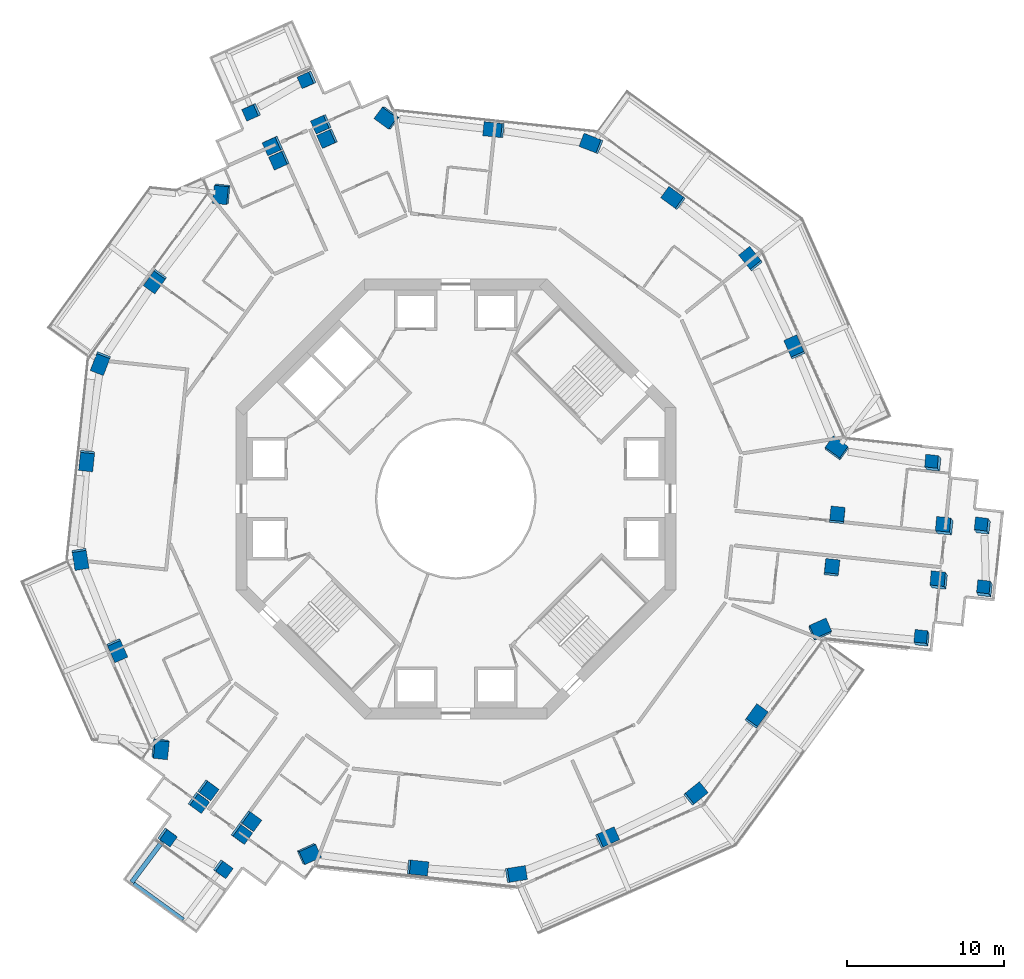
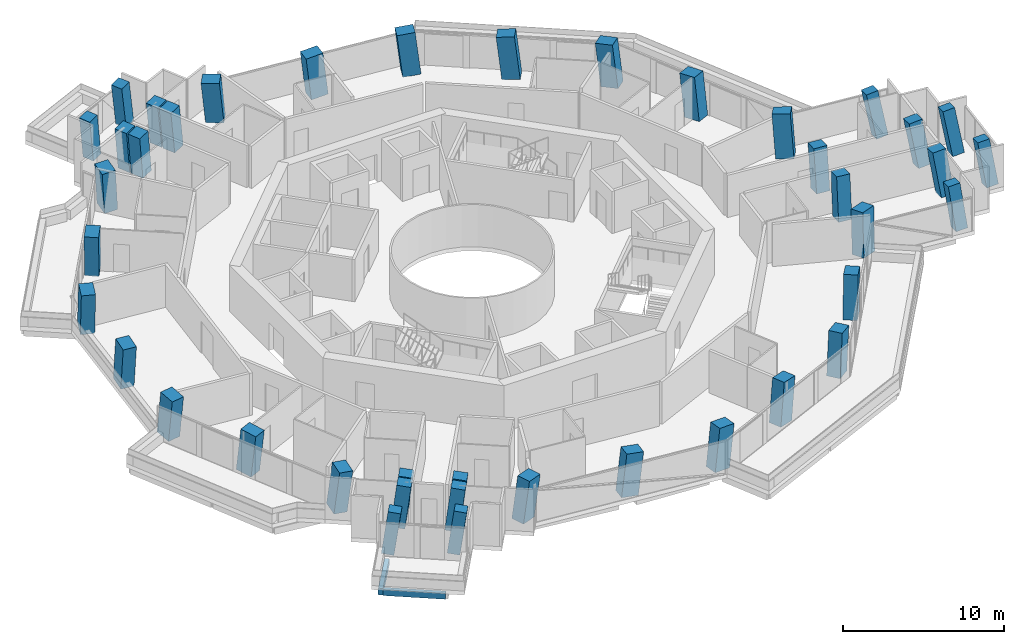
# One storey, part 1 of 23: 41 columns, 2 beams.
"""IFC4 building model written with IfcOpenShell, lengths in metres."""

from ifc_helpers import new_model, si_unit, direction, frame, origin, origin_2d, place, context, subcontext, project, spatial, rectangle, extrude, material, material_profile, profile_set, type_object, element, save


model = new_model("IFC4")

# Units and contexts
model_context = context("Model", 3, precision=1e-05, world=origin(), true_north=direction((0.0, 1.0)))
body_context = subcontext(model_context, "Body", "Model", "MODEL_VIEW")
ifc_project = project(units=[si_unit("LENGTHUNIT", "METRE"), si_unit("AREAUNIT", "SQUARE_METRE"), si_unit("VOLUMEUNIT", "CUBIC_METRE"), si_unit("PLANEANGLEUNIT", "RADIAN"), si_unit("MASSUNIT", "GRAM", prefix="KILO")], contexts=[model_context])

# Site, building, storey
site_placement = place(None, origin())
site = spatial("IfcSite", under=ifc_project, at=site_placement, CompositionType="ELEMENT")
building_placement = place(site_placement, origin())
building = spatial("IfcBuilding", under=site, at=building_placement, Name="Verdalira Terraces Hotel", CompositionType="ELEMENT")
storey_placement = place(building_placement, frame((0.0, 0.0, 133.0)))
storey = spatial("IfcBuildingStorey", under=building, at=storey_placement, Name="L31", CompositionType="ELEMENT", Elevation=133.0)

# Columns
ifc_material_1 = material(Name="Concrete C60", Category="concrete")
ifc_material_profile_1 = material_profile(ifc_material_1, rectangle(XDim=1.149902, YDim=0.899902, at=origin_2d()), Name="RC 1150X900")
ifc_profile_set_1 = profile_set([ifc_material_profile_1], Name="Concrete C60")
column_type_1 = type_object("IfcColumnType", Name="Column RC 1150X900 C60", PredefinedType="COLUMN", material=ifc_profile_set_1)
column_1_placement = place(storey_placement, frame((-14.863037, 19.418213, 0.0), z_axis=(-0.091750886, -0.071378693, 0.993220447), x_axis=(0.097961579, 0.991942345, 0.080336253)))
element("IfcColumn", 1, at=column_1_placement, inside=storey, type_object=column_type_1, Name="Column C01", PredefinedType="COLUMN", context=body_context, shape_type="SweptSolid", body=[
    extrude(rectangle(XDim=1.149902, YDim=0.899902, at=origin_2d()), origin(), (0.0, 0.0, 1.0), 3.21167),
])
column_2_placement = place(storey_placement, frame((-19.099609, 13.876709, 0.0), z_axis=(-0.065251144, -0.091412441, 0.993673012), x_axis=(-0.584148171, -0.803839453, -0.112307833)))
element("IfcColumn", 2, at=column_2_placement, inside=storey, type_object=column_type_1, Name="Column C02", PredefinedType="COLUMN", context=body_context, shape_type="SweptSolid", body=[
    extrude(rectangle(XDim=1.149902, YDim=0.899902, at=origin_2d()), origin(), (0.0, 0.0, 1.0), 3.210205),
])
column_3_placement = place(storey_placement, frame((-22.585693, 8.669922, 0.0), z_axis=(-0.040369992, -0.107729337, 0.993360284), x_axis=(0.356460917, 0.927200738, 0.115040884)))
element("IfcColumn", 3, at=column_3_placement, inside=storey, type_object=column_type_1, Name="Column C03", PredefinedType="COLUMN", context=body_context, shape_type="SweptSolid", body=[
    extrude(rectangle(XDim=1.149902, YDim=0.899902, at=origin_2d()), origin(), (0.0, 0.0, 1.0), 3.211182),
])
column_4_placement = place(storey_placement, frame((-23.479004, 2.467773, 0.0), z_axis=(-0.010799137, -0.111793887, 0.993672736), x_axis=(-0.103931825, -0.98822294, -0.112310274)))
element("IfcColumn", 4, at=column_4_placement, inside=storey, type_object=column_type_1, Name="Column C04", PredefinedType="COLUMN", context=body_context, shape_type="SweptSolid", body=[
    extrude(rectangle(XDim=1.149902, YDim=0.899902, at=origin_2d()), origin(), (0.0, 0.0, 1.0), 3.210205),
])
column_5_placement = place(storey_placement, frame((-23.894775, -3.784668, 0.0), z_axis=(0.018930659, -0.113431899, 0.993365408), x_axis=(-0.155197151, 0.981167478, 0.11499663)))
element("IfcColumn", 5, at=column_5_placement, inside=storey, type_object=column_type_1, Name="Column C05", PredefinedType="COLUMN", context=body_context, shape_type="SweptSolid", body=[
    extrude(rectangle(XDim=1.149902, YDim=0.899902, at=origin_2d()), origin(), (0.0, 0.0, 1.0), 3.211182),
])
column_6_placement = place(storey_placement, frame((-21.567383, -9.602295, 0.0), z_axis=(0.046542786, -0.102211608, 0.993673264), x_axis=(0.40410505, -0.907792136, -0.112305596)))
element("IfcColumn", 6, at=column_6_placement, inside=storey, type_object=column_type_1, Name="Column C06", PredefinedType="COLUMN", context=body_context, shape_type="SweptSolid", body=[
    extrude(rectangle(XDim=1.149902, YDim=0.899902, at=origin_2d()), origin(), (0.0, 0.0, 1.0), 3.210205),
])
column_7_placement = place(storey_placement, frame((-18.828369, -15.877197, 0.0), z_axis=(0.076236206, -0.088853564, 0.993122895), x_axis=(0.110848074, 0.990602676, 0.080118928)))
element("IfcColumn", 7, at=column_7_placement, inside=storey, type_object=column_type_1, Name="Column C07", PredefinedType="COLUMN", context=body_context, shape_type="SweptSolid", body=[
    extrude(rectangle(XDim=1.149902, YDim=0.899902, at=origin_2d()), origin(), (0.0, 0.0, 1.0), 3.211914),
])
column_8_placement = place(storey_placement, frame((-9.385254, -22.581055, 0.0), z_axis=(0.10771419, -0.043709004, 0.993220608), x_axis=(-0.907800011, -0.411637437, 0.080335305)))
element("IfcColumn", 8, at=column_8_placement, inside=storey, type_object=column_type_1, Name="Column C10", PredefinedType="COLUMN", context=body_context, shape_type="SweptSolid", body=[
    extrude(rectangle(XDim=1.149902, YDim=0.899902, at=origin_2d()), origin(), (0.0, 0.0, 1.0), 3.21167),
])
column_9_placement = place(storey_placement, frame((-2.467773, -23.479004, 0.0), z_axis=(0.111793887, -0.010799137, 0.993672736), x_axis=(0.98822294, -0.103931825, -0.112310274)))
element("IfcColumn", 9, at=column_9_placement, inside=storey, type_object=column_type_1, Name="Column C11", PredefinedType="COLUMN", context=body_context, shape_type="SweptSolid", body=[
    extrude(rectangle(XDim=1.149902, YDim=0.899902, at=origin_2d()), origin(), (0.0, 0.0, 1.0), 3.210205),
])
column_10_placement = place(storey_placement, frame((3.784668, -23.894775, 0.0), z_axis=(0.113431899, 0.018930659, 0.993365408), x_axis=(-0.981167478, -0.155197151, 0.11499663)))
element("IfcColumn", 10, at=column_10_placement, inside=storey, type_object=column_type_1, Name="Column C12", PredefinedType="COLUMN", context=body_context, shape_type="SweptSolid", body=[
    extrude(rectangle(XDim=1.149902, YDim=0.899902, at=origin_2d()), origin(), (0.0, 0.0, 1.0), 3.211182),
])
column_11_placement = place(storey_placement, frame((9.602295, -21.567383, 0.0), z_axis=(0.102211608, 0.046542786, 0.993673264), x_axis=(0.907792136, 0.40410505, -0.112305596)))
element("IfcColumn", 11, at=column_11_placement, inside=storey, type_object=column_type_1, Name="Column C13", PredefinedType="COLUMN", context=body_context, shape_type="SweptSolid", body=[
    extrude(rectangle(XDim=1.149902, YDim=0.899902, at=origin_2d()), origin(), (0.0, 0.0, 1.0), 3.210205),
])
column_12_placement = place(storey_placement, frame((15.224854, -18.80127, 0.0), z_axis=(0.088798823, 0.073137387, 0.993360806), x_axis=(-0.772101593, -0.62500061, 0.115036373)))
element("IfcColumn", 12, at=column_12_placement, inside=storey, type_object=column_type_1, Name="Column C14", PredefinedType="COLUMN", context=body_context, shape_type="SweptSolid", body=[
    extrude(rectangle(XDim=1.149902, YDim=0.899902, at=origin_2d()), origin(), (0.0, 0.0, 1.0), 3.211182),
])
column_13_placement = place(storey_placement, frame((19.099609, -13.876709, 0.0), z_axis=(0.065251144, 0.091412441, 0.993673012), x_axis=(0.584148171, 0.803839453, -0.112307833)))
element("IfcColumn", 13, at=column_13_placement, inside=storey, type_object=column_type_1, Name="Column C15", PredefinedType="COLUMN", context=body_context, shape_type="SweptSolid", body=[
    extrude(rectangle(XDim=1.149902, YDim=0.899902, at=origin_2d()), origin(), (0.0, 0.0, 1.0), 3.210205),
])
column_14_placement = place(storey_placement, frame((23.164307, -8.367188, 0.0), z_axis=(0.038840208, 0.110439964, 0.993123584), x_axis=(-0.913350334, -0.399215187, 0.080114931)))
element("IfcColumn", 14, at=column_14_placement, inside=storey, type_object=column_type_1, Name="Column C16", PredefinedType="COLUMN", context=body_context, shape_type="SweptSolid", body=[
    extrude(rectangle(XDim=1.149902, YDim=0.899902, at=origin_2d()), origin(), (0.0, 0.0, 1.0), 3.211914),
])
column_15_placement = place(storey_placement, frame((24.248291, 3.162598, 0.0), z_axis=(-0.015963111, 0.115238461, 0.993209583), x_axis=(0.810116199, -0.580730164, 0.080400377)))
element("IfcColumn", 15, at=column_15_placement, inside=storey, type_object=column_type_1, Name="Column C21", PredefinedType="COLUMN", context=body_context, shape_type="SweptSolid", body=[
    extrude(rectangle(XDim=1.149902, YDim=0.899902, at=origin_2d()), origin(), (0.0, 0.0, 1.0), 3.21167),
])
column_16_placement = place(storey_placement, frame((21.567383, 9.602295, 0.0), z_axis=(-0.046542786, 0.102211608, 0.993673264), x_axis=(-0.40410505, 0.907792136, -0.112305596)))
element("IfcColumn", 16, at=column_16_placement, inside=storey, type_object=column_type_1, Name="Column C22", PredefinedType="COLUMN", context=body_context, shape_type="SweptSolid", body=[
    extrude(rectangle(XDim=1.149902, YDim=0.899902, at=origin_2d()), origin(), (0.0, 0.0, 1.0), 3.210205),
])
column_17_placement = place(storey_placement, frame((18.80127, 15.224854, 0.0), z_axis=(-0.073137387, 0.088798823, 0.993360806), x_axis=(0.62500061, -0.772101593, 0.115036373)))
element("IfcColumn", 17, at=column_17_placement, inside=storey, type_object=column_type_1, Name="Column C23", PredefinedType="COLUMN", context=body_context, shape_type="SweptSolid", body=[
    extrude(rectangle(XDim=1.149902, YDim=0.899902, at=origin_2d()), origin(), (0.0, 0.0, 1.0), 3.211182),
])
column_18_placement = place(storey_placement, frame((13.876709, 19.099609, 0.0), z_axis=(-0.091412441, 0.065251144, 0.993673012), x_axis=(-0.803839453, 0.584148171, -0.112307833)))
element("IfcColumn", 18, at=column_18_placement, inside=storey, type_object=column_type_1, Name="Column C24", PredefinedType="COLUMN", context=body_context, shape_type="SweptSolid", body=[
    extrude(rectangle(XDim=1.149902, YDim=0.899902, at=origin_2d()), origin(), (0.0, 0.0, 1.0), 3.210205),
])
column_19_placement = place(storey_placement, frame((8.669922, 22.585693, 0.0), z_axis=(-0.107729337, 0.040369992, 0.993360284), x_axis=(0.927200738, -0.356460917, 0.115040884)))
element("IfcColumn", 19, at=column_19_placement, inside=storey, type_object=column_type_1, Name="Column C25", PredefinedType="COLUMN", context=body_context, shape_type="SweptSolid", body=[
    extrude(rectangle(XDim=1.149902, YDim=0.899902, at=origin_2d()), origin(), (0.0, 0.0, 1.0), 3.211182),
])
column_20_placement = place(storey_placement, frame((2.467773, 23.479004, 0.0), z_axis=(-0.111793887, 0.010799137, 0.993672736), x_axis=(-0.98822294, 0.103931825, -0.112310274)))
element("IfcColumn", 20, at=column_20_placement, inside=storey, type_object=column_type_1, Name="Column C26", PredefinedType="COLUMN", context=body_context, shape_type="SweptSolid", body=[
    extrude(rectangle(XDim=1.149902, YDim=0.899902, at=origin_2d()), origin(), (0.0, 0.0, 1.0), 3.210205),
])
column_21_placement = place(storey_placement, frame((-4.335938, 24.244385, 0.0), z_axis=(-0.115076293, -0.021586306, 0.993122086), x_axis=(0.802407677, -0.591373084, 0.080123624)))
element("IfcColumn", 21, at=column_21_placement, inside=storey, type_object=column_type_1, Name="Column C27", PredefinedType="COLUMN", context=body_context, shape_type="SweptSolid", body=[
    extrude(rectangle(XDim=1.149902, YDim=0.899902, at=origin_2d()), origin(), (0.0, 0.0, 1.0), 3.211914),
])
ifc_material_2 = material(Name="Concrete C60", Category="concrete")
ifc_material_profile_2 = material_profile(ifc_material_2, rectangle(XDim=0.800049, YDim=0.800049, at=origin_2d()), Name="RC 800X800")
ifc_profile_set_2 = profile_set([ifc_material_profile_2], Name="Concrete C60")
column_type_2 = type_object("IfcColumnType", Name="Column RC 800X800 C60", PredefinedType="COLUMN", material=ifc_profile_set_2)
column_22_placement = place(storey_placement, frame((-18.400635, -21.498535, 0.0), z_axis=(0.102690455, -0.086384363, 0.990955303), x_axis=(0.802591999, -0.581318621, -0.133845972)))
element("IfcColumn", 22, at=column_22_placement, inside=storey, type_object=column_type_2, Name="Column C08", PredefinedType="COLUMN", context=body_context, shape_type="SweptSolid", body=[
    extrude(rectangle(XDim=0.800049, YDim=0.800049, at=origin_2d()), origin(), (0.0, 0.0, 1.0), 3.218994),
])
column_23_placement = place(storey_placement, frame((-14.857422, -23.528809, 0.0), z_axis=(0.11220376, -0.069567848, 0.991247008), x_axis=(0.801127414, -0.583833074, -0.131657919)))
element("IfcColumn", 23, at=column_23_placement, inside=storey, type_object=column_type_2, Name="Column C09", PredefinedType="COLUMN", context=body_context, shape_type="SweptSolid", body=[
    extrude(rectangle(XDim=0.800049, YDim=0.800049, at=origin_2d()), origin(), (0.0, 0.0, 1.0), 3.218018),
])
column_24_placement = place(storey_placement, frame((29.689697, -8.942383, 0.0), z_axis=(-0.085094064, 0.151420705, 0.984799863), x_axis=(0.990984118, -0.089794971, 0.099435111)))
element("IfcColumn", 24, at=column_24_placement, inside=storey, type_object=column_type_2, Name="Column C17", PredefinedType="COLUMN", context=body_context, shape_type="SweptSolid", body=[
    extrude(rectangle(XDim=0.800049, YDim=0.800049, at=origin_2d()), origin(), (0.0, 0.0, 1.0), 3.239258),
])
column_25_placement = place(storey_placement, frame((33.699707, -5.804443, 0.0), z_axis=(-0.099653479, 0.16951597, 0.98047617), x_axis=(0.121796029, 0.980049441, -0.157063107)))
element("IfcColumn", 25, at=column_25_placement, inside=storey, type_object=column_type_2, Name="Column C18", PredefinedType="COLUMN", context=body_context, shape_type="SweptSolid", body=[
    extrude(rectangle(XDim=0.800049, YDim=0.800049, at=origin_2d()), origin(), (0.0, 0.0, 1.0), 3.253418),
])
column_26_placement = place(storey_placement, frame((33.576416, -1.80957, 0.0), z_axis=(-0.118113164, 0.168444201, 0.978609131), x_axis=(0.124552853, 0.980237463, -0.153691582)))
element("IfcColumn", 26, at=column_26_placement, inside=storey, type_object=column_type_2, Name="Column C19", PredefinedType="COLUMN", context=body_context, shape_type="SweptSolid", body=[
    extrude(rectangle(XDim=0.800049, YDim=0.800049, at=origin_2d()), origin(), (0.0, 0.0, 1.0), 3.259766),
])
column_27_placement = place(storey_placement, frame((30.438477, 2.200439, 0.0), z_axis=(-0.136765739, 0.153543135, 0.978631513), x_axis=(-0.985172815, 0.08222047, -0.150579942)))
element("IfcColumn", 27, at=column_27_placement, inside=storey, type_object=column_type_2, Name="Column C20", PredefinedType="COLUMN", context=body_context, shape_type="SweptSolid", body=[
    extrude(rectangle(XDim=0.800049, YDim=0.800049, at=origin_2d()), origin(), (0.0, 0.0, 1.0), 3.259521),
])
column_28_placement = place(storey_placement, frame((-9.417969, 26.684814, 0.0), z_axis=(-0.126200885, -0.045732652, 0.990949979), x_axis=(-0.904795326, -0.404252616, -0.133885179)))
element("IfcColumn", 28, at=column_28_placement, inside=storey, type_object=column_type_2, Name="Column C28", PredefinedType="COLUMN", context=body_context, shape_type="SweptSolid", body=[
    extrude(rectangle(XDim=0.800049, YDim=0.800049, at=origin_2d()), origin(), (0.0, 0.0, 1.0), 3.218994),
])
column_29_placement = place(storey_placement, frame((-12.947998, 24.631348, 0.0), z_axis=(-0.116376143, -0.062360619, 0.991245553), x_axis=(-0.906286922, -0.401630849, -0.131668812)))
element("IfcColumn", 29, at=column_29_placement, inside=storey, type_object=column_type_2, Name="Column C29", PredefinedType="COLUMN", context=body_context, shape_type="SweptSolid", body=[
    extrude(rectangle(XDim=0.800049, YDim=0.800049, at=origin_2d()), origin(), (0.0, 0.0, 1.0), 3.218018),
])
ifc_material_3 = material(Name="Concrete C60", Category="concrete")
ifc_material_profile_3 = material_profile(ifc_material_3, rectangle(XDim=0.899902, YDim=0.899902, at=origin_2d()), Name="RC 900X900")
ifc_profile_set_3 = profile_set([ifc_material_profile_3], Name="Concrete C60")
column_type_3 = type_object("IfcColumnType", Name="Column RC 900X900 C60", PredefinedType="COLUMN", material=ifc_profile_set_3)
for number, where, z_axis, x_axis, name in (
    (30, (-8.125, 22.936523, 0.0), (-0.108784806, -0.039530468, 0.993279018), (-0.405610885, 0.914010423, -0.008047127), "Column C30"),
    (31, (-11.191406, 21.571289, 0.0), (-0.102097687, -0.054051717, 0.993304824), (-0.407497924, 0.913172768, 0.007806224), "Column C31"),
):
    element("IfcColumn", number, at=place(storey_placement, frame(where, z_axis=z_axis, x_axis=x_axis)), inside=storey, type_object=column_type_3, Name=name, PredefinedType="COLUMN", context=body_context, shape_type="SweptSolid", body=[
        extrude(rectangle(XDim=0.899902, YDim=0.899902, at=origin_2d()), origin(), (0.0, 0.0, 1.0), 3.211426),
    ])
column_30_placement = place(storey_placement, frame((-8.516602, 23.856934, 0.0), z_axis=(-0.11305492, -0.041407884, 0.992725527), x_axis=(-0.405673053, 0.913982578, -0.008075999)))
element("IfcColumn", 32, at=column_30_placement, inside=storey, type_object=column_type_3, Name="Column C32", PredefinedType="COLUMN", context=body_context, shape_type="SweptSolid", body=[
    extrude(rectangle(XDim=0.899902, YDim=0.899902, at=origin_2d()), origin(), (0.0, 0.0, 1.0), 3.213379),
])
column_31_placement = place(storey_placement, frame((-11.598145, 22.484863, 0.0), z_axis=(-0.106371333, -0.055996909, 0.99274845), x_axis=(-0.407558372, 0.913145522, 0.007837634)))
element("IfcColumn", 33, at=column_31_placement, inside=storey, type_object=column_type_3, Name="Column C33", PredefinedType="COLUMN", context=body_context, shape_type="SweptSolid", body=[
    extrude(rectangle(XDim=0.899902, YDim=0.899902, at=origin_2d()), origin(), (0.0, 0.0, 1.0), 3.213135),
])
for number, where, z_axis, x_axis, name in (
    (34, (-15.801025, -18.504883, 0.0), (0.088640015, -0.074348143, 0.993285106), (-0.588171848, -0.808695975, -0.008043494), "Column C34"),
    (35, (-13.085693, -20.477783, 0.0), (0.097916182, -0.061349657, 0.993301888), (-0.586609518, -0.809832272, 0.00780793), "Column C35"),
):
    element("IfcColumn", number, at=place(storey_placement, frame(where, z_axis=z_axis, x_axis=x_axis)), inside=storey, type_object=column_type_3, Name=name, PredefinedType="COLUMN", context=body_context, shape_type="SweptSolid", body=[
        extrude(rectangle(XDim=0.899902, YDim=0.899902, at=origin_2d()), origin(), (0.0, 0.0, 1.0), 3.211426),
    ])
column_32_placement = place(storey_placement, frame((-16.402344, -19.303955, 0.0), z_axis=(0.092389035, -0.07719347, 0.992726264), x_axis=(-0.588633209, -0.808359901, -0.008075591)))
element("IfcColumn", 36, at=column_32_placement, inside=storey, type_object=column_type_3, Name="Column C36", PredefinedType="COLUMN", context=body_context, shape_type="SweptSolid", body=[
    extrude(rectangle(XDim=0.899902, YDim=0.899902, at=origin_2d()), origin(), (0.0, 0.0, 1.0), 3.213379),
])
column_33_placement = place(storey_placement, frame((-13.67334, -21.286621, 0.0), z_axis=(0.101660279, -0.064202493, 0.992745298), x_axis=(-0.587559458, -0.809143021, 0.007839331)))
element("IfcColumn", 37, at=column_33_placement, inside=storey, type_object=column_type_3, Name="Column C37", PredefinedType="COLUMN", context=body_context, shape_type="SweptSolid", body=[
    extrude(rectangle(XDim=0.899902, YDim=0.899902, at=origin_2d()), origin(), (0.0, 0.0, 1.0), 3.213135),
])
for number, where, z_axis, x_axis, name in (
    (38, (23.92627, -4.431641, 0.0), (0.020069399, 0.113954657, 0.99328322), (0.99443788, -0.105017082, -0.008044619), "Column C38"),
    (39, (24.2771, -1.093506, 0.0), (0.004181238, 0.115402163, 0.993310051), (0.994629779, -0.10320229, 0.007803187), "Column C39"),
):
    element("IfcColumn", number, at=place(storey_placement, frame(where, z_axis=z_axis, x_axis=x_axis)), inside=storey, type_object=column_type_3, Name=name, PredefinedType="COLUMN", context=body_context, shape_type="SweptSolid", body=[
        extrude(rectangle(XDim=0.899902, YDim=0.899902, at=origin_2d()), origin(), (0.0, 0.0, 1.0), 3.211426),
    ])
column_34_placement = place(storey_placement, frame((30.789551, -5.269531, 0.0), z_axis=(-0.102184202, 0.156095956, 0.98244208), x_axis=(0.989360627, -0.086864386, 0.116705308)))
element("IfcColumn", 40, at=column_34_placement, inside=storey, type_object=column_type_3, Name="Column C40", PredefinedType="COLUMN", context=body_context, shape_type="SweptSolid", body=[
    extrude(rectangle(XDim=0.899902, YDim=0.899902, at=origin_2d()), origin(), (0.0, 0.0, 1.0), 3.24707),
])
column_35_placement = place(storey_placement, frame((31.152588, -1.816406, 0.0), z_axis=(-0.118257235, 0.157426192, 0.98042451), x_axis=(0.987568573, -0.084321262, 0.132658356)))
element("IfcColumn", 41, at=column_35_placement, inside=storey, type_object=column_type_3, Name="Column C41", PredefinedType="COLUMN", context=body_context, shape_type="SweptSolid", body=[
    extrude(rectangle(XDim=0.899902, YDim=0.899902, at=origin_2d()), origin(), (0.0, 0.0, 1.0), 3.253662),
])

# Beams
ifc_material_4 = material(Name="Concrete C40", Category="concrete")
ifc_material_profile_4 = material_profile(ifc_material_4, rectangle(XDim=0.300049, YDim=0.5, at=origin_2d()), Name="RC 300X500")
ifc_profile_set_4 = profile_set([ifc_material_profile_4], Name="Concrete C40")
beam_type_1 = type_object("IfcBeamType", Name="Balcony cantilever beam RC 300X500 C40", PredefinedType="BEAM", material=ifc_profile_set_4)
beam_1_placement = place(storey_placement, frame((-18.677979, -21.818115, -0.560059), z_axis=(-0.601257422, -0.799055387, 0.0), x_axis=(0.799055387, -0.601257422, 0.0)))
element("IfcBeam", 42, at=beam_1_placement, inside=storey, type_object=beam_type_1, Name="Balcony cantilever beam R19-1", PredefinedType="BEAM", context=body_context, shape_type="SweptSolid", body=[
    extrude(rectangle(XDim=0.300049, YDim=0.5, at=origin_2d()), origin(), (0.0, 0.0, 1.0), 3.229004),
])
ifc_material_5 = material(Name="Concrete C40", Category="concrete")
ifc_material_profile_5 = material_profile(ifc_material_5, rectangle(XDim=0.25, YDim=0.449951, at=origin_2d()), Name="RC 250X450")
ifc_profile_set_5 = profile_set([ifc_material_profile_5], Name="Concrete C40")
beam_type_2 = type_object("IfcBeamType", Name="Balcony edge beam RC 250X450 C40", PredefinedType="BEAM", material=ifc_profile_set_5)
beam_2_placement = place(storey_placement, frame((-20.498047, -24.486328, -0.534912), z_axis=(0.80902, -0.587781115, 0.0), x_axis=(0.587781115, 0.80902, 0.0)))
element("IfcBeam", 43, at=beam_2_placement, inside=storey, type_object=beam_type_2, Name="Balcony edge beam R19-1", PredefinedType="BEAM", context=body_context, shape_type="SweptSolid", body=[
    extrude(rectangle(XDim=0.25, YDim=0.449951, at=origin_2d()), origin(), (0.0, 0.0, 1.0), 3.903076),
])

save(model, "model.ifc")
